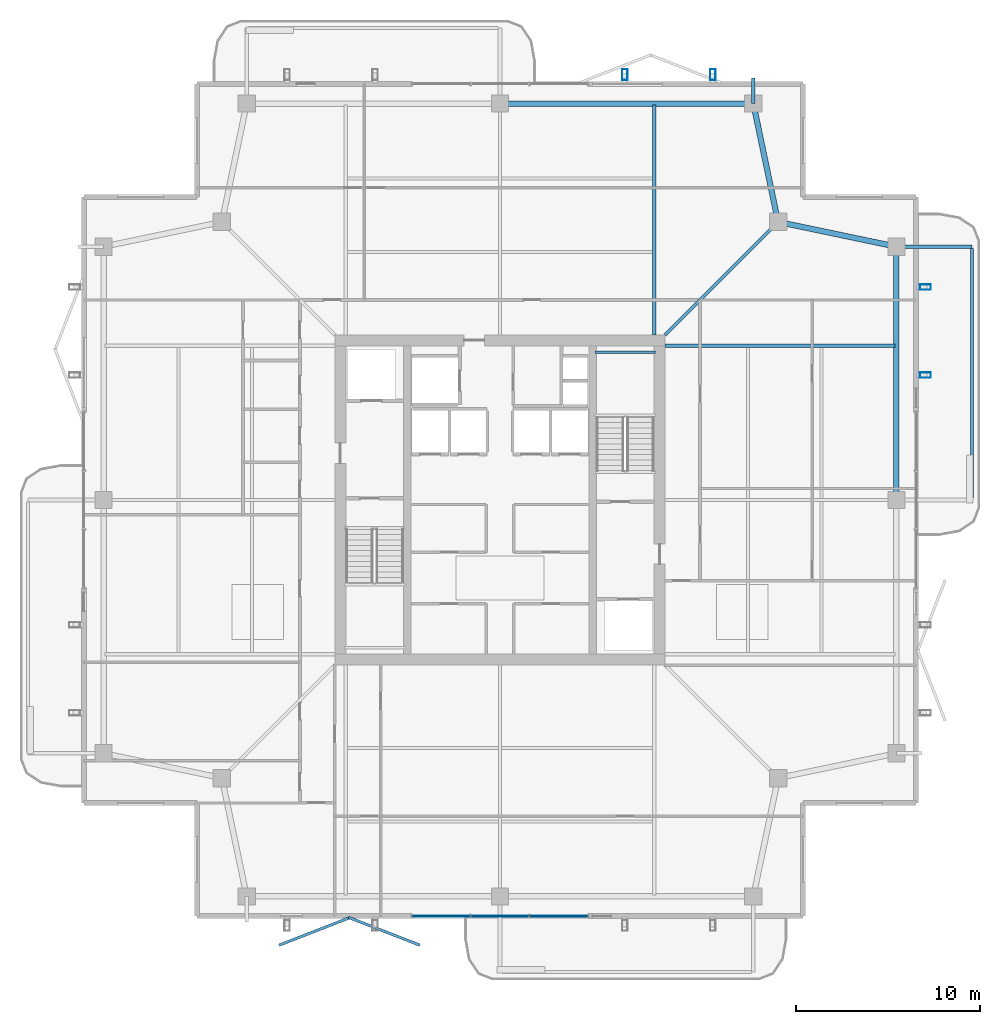
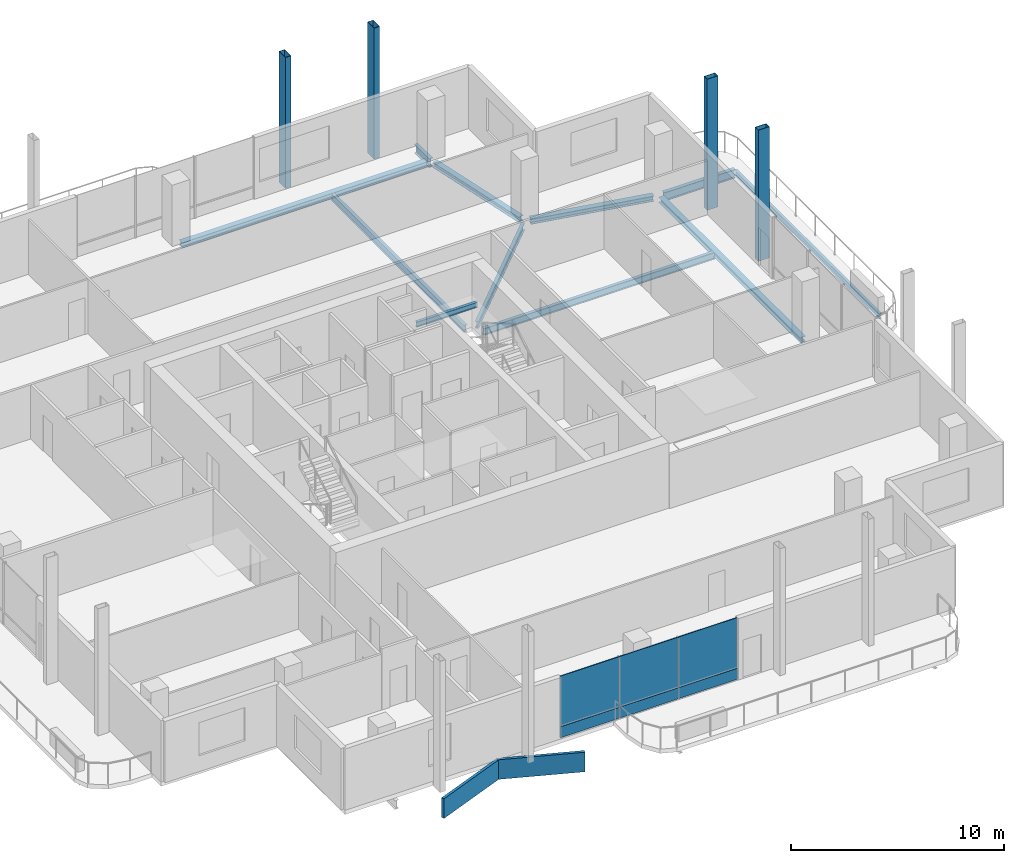
# One storey, part 12 of 20: 11 beams, 8 plates, 4 members, 1 element without a shape of its own.
"""IFC4 building model written with IfcOpenShell, lengths in metres."""

from ifc_helpers import new_model, si_unit, direction, frame, origin, origin_2d, place, context, subcontext, project, spatial, rectangle, hollow_rectangle, i_section, extrude, material, layer, layer_set, material_profile, profile_set, type_object, element, aggregate, save


model = new_model("IFC4")

# Units and contexts
model_context = context("Model", 3, precision=1e-05, world=origin(), true_north=direction((0.0, 1.0)))
body_context = subcontext(model_context, "Body", "Model", "MODEL_VIEW")
ifc_project = project(units=[si_unit("LENGTHUNIT", "METRE"), si_unit("AREAUNIT", "SQUARE_METRE"), si_unit("VOLUMEUNIT", "CUBIC_METRE"), si_unit("PLANEANGLEUNIT", "RADIAN"), si_unit("MASSUNIT", "GRAM", prefix="KILO")], contexts=[model_context])

# Site, building, storey
site_placement = place(None, origin())
site = spatial("IfcSite", under=ifc_project, at=site_placement, CompositionType="ELEMENT")
building_placement = place(site_placement, origin())
building = spatial("IfcBuilding", under=site, at=building_placement, Name="Belovzor Exchange Tower", CompositionType="ELEMENT")
storey_placement = place(building_placement, frame((0.0, 0.0, 321.75)))
storey = spatial("IfcBuildingStorey", under=building, at=storey_placement, Name="L80", CompositionType="ELEMENT", Elevation=321.75)

# Beams
ifc_material_1 = material(Name="Steel S355", Category="steel")
ifc_material_profile_1 = material_profile(ifc_material_1, i_section(OverallWidth=0.199951171875, OverallDepth=0.5, WebThickness=0.01025390625, FlangeThickness=0.01611328125, at=origin_2d()))
ifc_profile_set_1 = profile_set([ifc_material_profile_1], Name="Steel S355")
beam_type_1 = type_object("IfcBeamType", Name="Planted Balcony Cantilever Beam IPE 500", PredefinedType="BEAM", material=ifc_profile_set_1)
beam_1_placement = place(storey_placement, frame((50.660888671875, 42.60009765625, -0.489990234375), z_axis=(1.0, 0.0, 0.0), x_axis=(0.0, 1.0, 0.0)))
element("IfcBeam", 1, at=beam_1_placement, inside=storey, type_object=beam_type_1, Name="BC-500 Planted Balcony Cantilever Beam IPE 500", PredefinedType="BEAM", context=body_context, shape_type="SweptSolid", body=[
    extrude(i_section(OverallWidth=0.199951171875, OverallDepth=0.5, WebThickness=0.01025390625, FlangeThickness=0.01611328125, at=origin_2d()), origin(), (0.0, 0.0, 1.0), 3.85009765625),
])
beam_2_placement = place(storey_placement, frame((42.60009765625, 50.39990234375, -0.489990234375), z_axis=(0.0, 1.0, 0.0), x_axis=(-1.0, 0.0, 0.0)))
element("IfcBeam", 2, at=beam_2_placement, inside=storey, type_object=beam_type_1, Name="BC-500 Planted Balcony Cantilever Beam IPE 500", PredefinedType="BEAM", context=body_context, shape_type="SweptSolid", body=[
    extrude(i_section(OverallWidth=0.199951171875, OverallDepth=0.5, WebThickness=0.01025390625, FlangeThickness=0.01611328125, at=origin_2d()), origin(), (0.0, 0.0, 1.0), 1.400146484375),
])
ifc_material_2 = material(Name="Steel S355", Category="steel")
ifc_material_profile_2 = material_profile(ifc_material_2, i_section(OverallWidth=0.14990234375, OverallDepth=0.300048828125, WebThickness=0.007080078125, FlangeThickness=0.0107421875, at=origin_2d()))
ifc_profile_set_2 = profile_set([ifc_material_profile_2], Name="Steel S355")
beam_type_2 = type_object("IfcBeamType", Name="Planted Balcony Fascia Edge Beam IPE 300", PredefinedType="BEAM", material=ifc_profile_set_2)
beam_3_placement = place(storey_placement, frame((54.510986328125, 28.89990234375, -0.389892578125), z_axis=(0.0, 1.0, 0.0), x_axis=(-1.0, 0.0, 0.0)))
element("IfcBeam", 3, at=beam_3_placement, inside=storey, type_object=beam_type_2, Name="BC-300 Planted Balcony Fascia Edge Beam IPE 300", PredefinedType="BEAM", context=body_context, shape_type="SweptSolid", body=[
    extrude(i_section(OverallWidth=0.14990234375, OverallDepth=0.300048828125, WebThickness=0.007080078125, FlangeThickness=0.0107421875, at=origin_2d()), origin(), (0.0, 0.0, 1.0), 13.60009765625),
])
ifc_material_3 = material(Name="Steel S355", Category="steel")
ifc_material_profile_3 = material_profile(ifc_material_3, i_section(OverallWidth=0.14990234375, OverallDepth=0.300048828125, WebThickness=0.007080078125, FlangeThickness=0.0107421875, at=origin_2d()))
ifc_profile_set_3 = profile_set([ifc_material_profile_3], Name="Steel S355")
beam_type_3 = type_object("IfcBeamType", Name="Secondary Trim Floor Joist IPE 300", PredefinedType="BEAM", material=ifc_profile_set_3)
beam_4_placement = place(storey_placement, frame((37.280029296875, 36.85009765625, 1.52490234375), z_axis=(-1.0, 0.0, 0.0), x_axis=(0.0, -1.0, 0.0)))
element("IfcBeam", 4, at=beam_4_placement, inside=storey, type_object=beam_type_3, Name="FJ-300 Secondary Trim Floor Joist IPE 300", PredefinedType="BEAM", context=body_context, shape_type="SweptSolid", body=[
    extrude(i_section(OverallWidth=0.14990234375, OverallDepth=0.300048828125, WebThickness=0.007080078125, FlangeThickness=0.0107421875, at=origin_2d()), origin(), (0.0, 0.0, 1.0), 3.31005859375),
])

# Members
ifc_material_4 = material(Name="Extruded Architectural Terracotta on Steel S355 Carrier", Category="masonry")
ifc_material_profile_4 = material_profile(ifc_material_4, hollow_rectangle(XDim=0.300048828125, YDim=0.60009765625, WallThickness=0.01611328125, at=origin_2d()))
ifc_profile_set_4 = profile_set([ifc_material_profile_4], Name="Extruded Architectural Terracotta on Steel S355 Carrier")
member_type = type_object("IfcMemberType", Name="Upper Crown Terracotta Fin Assembly 550", PredefinedType="USERDEFINED", material=ifc_profile_set_4)
for number, where, z_axis, x_axis, name in (
    (5, (35.60009765625, 51.97509765625, -0.239990234375), (0.0, 0.0, 1.0), (1.0, 0.0, 0.0), "FIN-TC055 Terracotta Facade Fin L80 N3"),
    (6, (51.97509765625, 35.60009765625, -0.239990234375), (0.0, 0.0, 1.0), (0.0, 1.0, 0.0), "FIN-TC055 Terracotta Facade Fin L80 E3"),
    (7, (40.39990234375, 51.97509765625, -0.239990234375), (0.0, 0.0, 1.0), (1.0, 0.0, 0.0), "FIN-TC055 Terracotta Facade Fin L80 N4"),
    (8, (51.97509765625, 40.39990234375, -0.239990234375), (0.0, 0.0, 1.0), (0.0, 1.0, 0.0), "FIN-TC055 Terracotta Facade Fin L80 E4"),
):
    element("IfcMember", number, at=place(storey_placement, frame(where, z_axis=z_axis, x_axis=x_axis)), inside=storey, type_object=member_type, Name=name, ObjectType="FIN", PredefinedType="USERDEFINED", context=body_context, shape_type="SweptSolid", body=[
        extrude(hollow_rectangle(XDim=0.300048828125, YDim=0.60009765625, WallThickness=0.01611328125, at=origin_2d()), origin(), (0.0, 0.0, 1.0), 7.5),
    ])

# Beams
ifc_material_5 = material(Name="Steel S355", Category="steel")
ifc_material_profile_5 = material_profile(ifc_material_5, i_section(OverallWidth=0.179931640625, OverallDepth=0.39990234375, WebThickness=0.008544921875, FlangeThickness=0.013427734375, at=origin_2d()))
ifc_profile_set_5 = profile_set([ifc_material_profile_5], Name="Steel S355")
beam_type_4 = type_object("IfcBeamType", Name="Zone 5-6 Radial Composite Floor Beam IPE 400", PredefinedType="BEAM", material=ifc_profile_set_5)
for number, where, z_axis, x_axis, name in (
    (9, (37.199951171875, 37.800048828125, -0.43994140625), (0.0, 1.0, 0.0), (-1.0, 0.0, 0.0), "FB-400 Zone 5-6 Radial Composite Floor Beam IPE 400"),
    (10, (37.800048828125, 37.199951171875, -0.43994140625), (1.0, 0.0, 0.0), (0.0, 1.0, 0.0), "FB-400 Zone 5-6 Radial Composite Floor Beam IPE 400"),
):
    element("IfcBeam", number, at=place(storey_placement, frame(where, z_axis=z_axis, x_axis=x_axis)), inside=storey, type_object=beam_type_4, Name=name, PredefinedType="BEAM", context=body_context, shape_type="SweptSolid", body=[
        extrude(i_section(OverallWidth=0.179931640625, OverallDepth=0.39990234375, WebThickness=0.008544921875, FlangeThickness=0.013427734375, at=origin_2d()), origin(), (0.0, 0.0, 1.0), 12.52490234375),
    ])
beam_5_placement = place(storey_placement, frame((37.800048828125, 37.800048828125, -0.43994140625), z_axis=(0.707106781187, 0.707106781187, 0.0), x_axis=(-0.707106781187, 0.707106781187, 0.0)))
element("IfcBeam", 11, at=beam_5_placement, inside=storey, type_object=beam_type_4, Name="FB-400 Zone 5-6 Radial Composite Floor Beam IPE 400", PredefinedType="BEAM", context=body_context, shape_type="SweptSolid", body=[
    extrude(i_section(OverallWidth=0.179931640625, OverallDepth=0.39990234375, WebThickness=0.008544921875, FlangeThickness=0.013427734375, at=origin_2d()), origin(), (0.0, 0.0, 1.0), 8.362060546875),
])
ifc_material_6 = material(Name="Steel S355", Category="steel")
ifc_material_profile_6 = material_profile(ifc_material_6, i_section(OverallWidth=0.300048828125, OverallDepth=0.300048828125, WebThickness=0.008544921875, FlangeThickness=0.013916015625, at=origin_2d()))
ifc_profile_set_6 = profile_set([ifc_material_profile_6], Name="Steel S355")
beam_type_5 = type_object("IfcBeamType", Name="Zone 6 Primary Girder HEA 300", PredefinedType="BEAM", material=ifc_profile_set_6)
beam_6_placement = place(storey_placement, frame((50.39990234375, 29.06103515625, -0.389892578125), z_axis=(0.0, 1.0, 0.0), x_axis=(-1.0, 0.0, 0.0)))
element("IfcBeam", 12, at=beam_6_placement, inside=storey, type_object=beam_type_5, Name="FG-Z6 Zone 6 Primary Girder HEA 300", PredefinedType="BEAM", context=body_context, shape_type="SweptSolid", body=[
    extrude(i_section(OverallWidth=0.300048828125, OverallDepth=0.300048828125, WebThickness=0.008544921875, FlangeThickness=0.013916015625, at=origin_2d()), origin(), (0.0, 0.0, 1.0), 13.278076171875),
])
for number, where, z_axis, x_axis, name in (
    (13, (50.14404296875, 42.654052734375, -0.389892578125), (-0.978820078908, 0.204722380619, 0.0), (-0.204722380619, -0.978820078908, 0.0), "FG-Z6 Zone 6 Primary Girder HEA 300"),
    (14, (43.89599609375, 44.2060546875, -0.389892578125), (-0.204722380619, 0.978820078908, 0.0), (-0.978820078908, -0.204722380619, 0.0), "FG-Z6 Zone 6 Primary Girder HEA 300"),
):
    element("IfcBeam", number, at=place(storey_placement, frame(where, z_axis=z_axis, x_axis=x_axis)), inside=storey, type_object=beam_type_5, Name=name, PredefinedType="BEAM", context=body_context, shape_type="SweptSolid", body=[
        extrude(i_section(OverallWidth=0.300048828125, OverallDepth=0.300048828125, WebThickness=0.008544921875, FlangeThickness=0.013916015625, at=origin_2d()), origin(), (0.0, 0.0, 1.0), 6.06640625),
    ])
beam_7_placement = place(storey_placement, frame((42.339111328125, 50.39990234375, -0.389892578125), z_axis=(-1.0, 0.0, 0.0), x_axis=(0.0, -1.0, 0.0)))
element("IfcBeam", 15, at=beam_7_placement, inside=storey, type_object=beam_type_5, Name="FG-Z6 Zone 6 Primary Girder HEA 300", PredefinedType="BEAM", context=body_context, shape_type="SweptSolid", body=[
    extrude(i_section(OverallWidth=0.300048828125, OverallDepth=0.300048828125, WebThickness=0.008544921875, FlangeThickness=0.013916015625, at=origin_2d()), origin(), (0.0, 0.0, 1.0), 13.278076171875),
])

# Curtain wall, plates
ifc_material_7 = material(Name="Anodised Aluminium Framing", Category="aluminium")
ifc_layer_1 = layer(ifc_material_7, 0.179931640625)
ifc_layer_set_1 = layer_set([ifc_layer_1], Name="Anodised Aluminium Framing")
curtain_wall_type = type_object("IfcCurtainWallType", Name="Recessed Loggia Low-Iron Triple-Glazed Curtain Wall", PredefinedType="NOTDEFINED", material=ifc_layer_set_1)
curtain_wall_placement = place(storey_placement, origin())
curtain_wall = element("IfcCurtainWall", 16, at=curtain_wall_placement, inside=storey, type_object=curtain_wall_type, Name="CW3 Recessed Loggia Low-Iron Triple-Glazed Curtain Wall L80", PredefinedType="NOTDEFINED")
ifc_material_8 = material(Name="Solar-Control Triple Glazing", Category="glass")
ifc_layer_2 = layer(ifc_material_8, 0.0439453125)
ifc_layer_set_2 = layer_set([ifc_layer_2], Name="Solar-Control Triple Glazing")
plate_type_1 = type_object("IfcPlateType", Name="Insulated Solar Glazing Curtain Panel 44", PredefinedType="CURTAIN_PANEL", material=ifc_layer_set_2)
plate_1_placement = place(storey_placement, frame((32.0, 6.1298828125, 0.634033203125), z_axis=(0.0, 0.0, 1.0), x_axis=(-1.0, 0.0, 0.0)))
plate_1 = element("IfcPlate", 17, at=plate_1_placement, type_object=plate_type_1, Name="GLZ-44 Glazed Curtain Panel 1", PredefinedType="CURTAIN_PANEL", context=body_context, shape_type="SweptSolid", body=[
    extrude(rectangle(XDim=3.18408203125, YDim=0.0439453125, at=origin_2d()), origin(), (0.0, 0.0, 1.0), 2.8759765625),
])
plate_2_placement = place(storey_placement, frame((28.800048828125, 6.1298828125, 0.634033203125), z_axis=(0.0, 0.0, 1.0), x_axis=(-1.0, 0.0, 0.0)))
plate_2 = element("IfcPlate", 18, at=plate_2_placement, type_object=plate_type_1, Name="GLZ-44 Glazed Curtain Panel 2", PredefinedType="CURTAIN_PANEL", context=body_context, shape_type="SweptSolid", body=[
    extrude(rectangle(XDim=3.18408203125, YDim=0.0439453125, at=origin_2d()), origin(), (0.0, 0.0, 1.0), 2.8759765625),
])
plate_3_placement = place(storey_placement, frame((25.60009765625, 6.1298828125, 0.634033203125), z_axis=(0.0, 0.0, 1.0), x_axis=(-1.0, 0.0, 0.0)))
plate_3 = element("IfcPlate", 19, at=plate_3_placement, type_object=plate_type_1, Name="GLZ-44 Glazed Curtain Panel 3", PredefinedType="CURTAIN_PANEL", context=body_context, shape_type="SweptSolid", body=[
    extrude(rectangle(XDim=3.18408203125, YDim=0.0439453125, at=origin_2d()), origin(), (0.0, 0.0, 1.0), 2.8759765625),
])
ifc_material_9 = material(Name="Extruded Architectural Terracotta", Category="masonry")
ifc_layer_3 = layer(ifc_material_9, 0.090087890625)
ifc_layer_set_3 = layer_set([ifc_layer_3], Name="Extruded Architectural Terracotta")
plate_type_2 = type_object("IfcPlateType", Name="Terracotta Shadow-Box Spandrel Panel 90", PredefinedType="CURTAIN_PANEL", material=ifc_layer_set_3)
plate_4_placement = place(storey_placement, frame((32.0, 6.1298828125, 0.0), z_axis=(0.0, 0.0, 1.0), x_axis=(-1.0, 0.0, 0.0)))
plate_4 = element("IfcPlate", 20, at=plate_4_placement, type_object=plate_type_2, Name="SPD-90 Spandrel Panel 1", PredefinedType="CURTAIN_PANEL", context=body_context, shape_type="SweptSolid", body=[
    extrude(rectangle(XDim=3.18408203125, YDim=0.090087890625, at=origin_2d()), origin(), (0.0, 0.0, 1.0), 0.6298828125),
])
plate_5_placement = place(storey_placement, frame((28.800048828125, 6.1298828125, 0.0), z_axis=(0.0, 0.0, 1.0), x_axis=(-1.0, 0.0, 0.0)))
plate_5 = element("IfcPlate", 21, at=plate_5_placement, type_object=plate_type_2, Name="SPD-90 Spandrel Panel 2", PredefinedType="CURTAIN_PANEL", context=body_context, shape_type="SweptSolid", body=[
    extrude(rectangle(XDim=3.18408203125, YDim=0.090087890625, at=origin_2d()), origin(), (0.0, 0.0, 1.0), 0.6298828125),
])
plate_6_placement = place(storey_placement, frame((25.60009765625, 6.1298828125, 0.0), z_axis=(0.0, 0.0, 1.0), x_axis=(-1.0, 0.0, 0.0)))
plate_6 = element("IfcPlate", 22, at=plate_6_placement, type_object=plate_type_2, Name="SPD-90 Spandrel Panel 3", PredefinedType="CURTAIN_PANEL", context=body_context, shape_type="SweptSolid", body=[
    extrude(rectangle(XDim=3.18408203125, YDim=0.090087890625, at=origin_2d()), origin(), (0.0, 0.0, 1.0), 0.6298828125),
])
aggregate(curtain_wall, [plate_4, plate_1, plate_5, plate_2, plate_6, plate_3])

# Plates
ifc_material_10 = material(Name="Extruded Architectural Terracotta", Category="masonry")
ifc_layer_4 = layer(ifc_material_10, 0.14990234375)
ifc_layer_set_4 = layer_set([ifc_layer_4], Name="Extruded Architectural Terracotta")
plate_type_3 = type_object("IfcPlateType", Name="Upper-Crown Deep Folded Zigzag Terracotta Spandrel Louvre 150", PredefinedType="USERDEFINED", material=ifc_layer_set_4)
for number, where, z_axis, x_axis, name in (
    (23, (18.699951171875, 5.300048828125, -1.10498046875), (0.0, 0.0, 1.0), (0.931817969421, 0.362925986758, 0.0), "LVR-ZZ3 Zigzag Terracotta Spandrel Louvre L80 S1A"),
    (24, (22.5, 5.300048828125, -1.10498046875), (0.0, 0.0, 1.0), (0.931817969421, -0.362925986758, 0.0), "LVR-ZZ3 Zigzag Terracotta Spandrel Louvre L80 S1B"),
):
    element("IfcPlate", number, at=place(storey_placement, frame(where, z_axis=z_axis, x_axis=x_axis)), inside=storey, type_object=plate_type_3, Name=name, ObjectType="SPANDREL_LOUVRE", PredefinedType="USERDEFINED", context=body_context, shape_type="SweptSolid", body=[
        extrude(rectangle(XDim=4.157958984375, YDim=0.14990234375, at=origin_2d()), origin(), (0.0, 0.0, 1.0), 1.1201171875),
    ])

save(model, "model.ifc")
